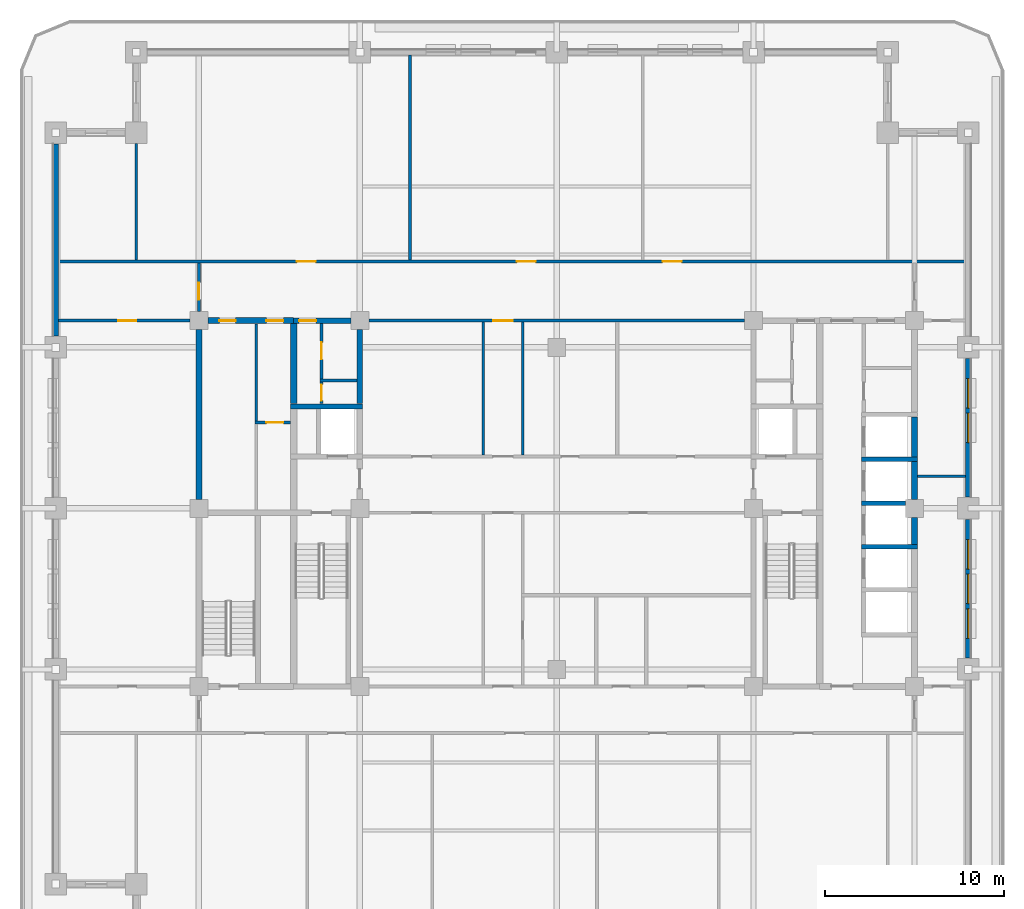
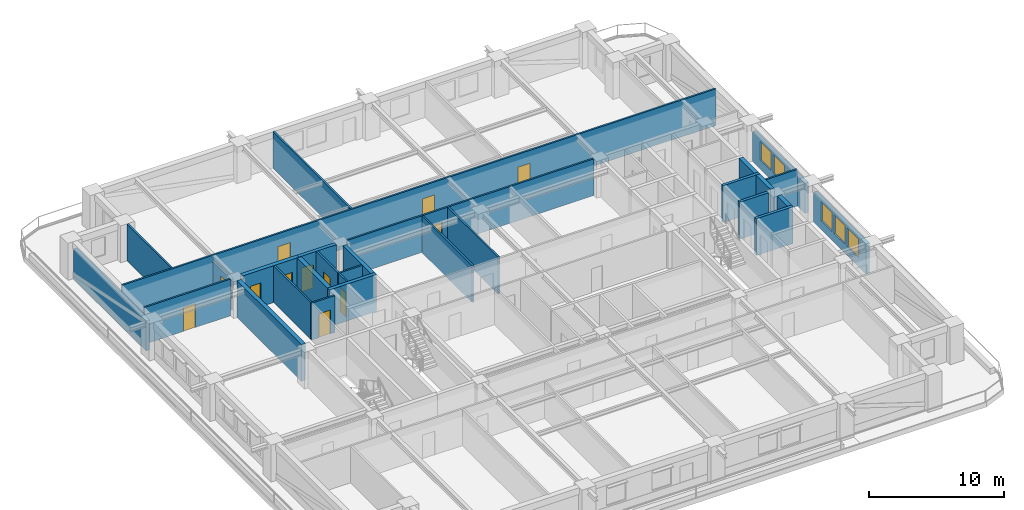
# One storey, part 5 of 15: 29 walls, 12 doors, 5 windows, 17 openings.
"""IFC4 building model written with IfcOpenShell, lengths in metres."""

from ifc_helpers import new_model, si_unit, direction, frame, frame_2d, origin, place, context, subcontext, project, spatial, rectangle, extrude, material, layer, layer_set, type_object, element, fill, save


model = new_model("IFC4")

# Units and contexts
model_context = context("Model", 3, precision=1e-05, world=origin(), true_north=direction((0.0, 1.0)))
body_context = subcontext(model_context, "Body", "Model", "MODEL_VIEW")
ifc_project = project(units=[si_unit("LENGTHUNIT", "METRE"), si_unit("AREAUNIT", "SQUARE_METRE"), si_unit("VOLUMEUNIT", "CUBIC_METRE"), si_unit("PLANEANGLEUNIT", "RADIAN"), si_unit("MASSUNIT", "GRAM", prefix="KILO")], contexts=[model_context])

# Site, building, storey
site_placement = place(None, origin())
site = spatial("IfcSite", under=ifc_project, at=site_placement, CompositionType="ELEMENT")
building_placement = place(site_placement, origin())
building = spatial("IfcBuilding", under=site, at=building_placement, Name="Zulmaris Gate Convention Tower", CompositionType="ELEMENT")
storey_placement = place(building_placement, frame((0.0, 0.0, 132.059814453125)))
storey = spatial("IfcBuildingStorey", under=building, at=storey_placement, Name="L33", CompositionType="ELEMENT", Elevation=132.059814453125)

# Walls
ifc_material_1 = material(Name="Concrete C50/60", Category="concrete")
ifc_layer_1 = layer(ifc_material_1, 0.25, Name="Concrete C50/60")
ifc_layer_set_1 = layer_set([ifc_layer_1], Name="Concrete C50/60")
wall_type_1 = type_object("IfcWallType", Name="CORE-250", PredefinedType="SOLIDWALL", material=ifc_layer_set_1)
wall_1_placement = place(storey_placement, frame((17.02490234375, -2.14990234375, 0.0), z_axis=(0.0, 0.0, 1.0), x_axis=(1.0, 0.0, 0.0)))
element("IfcWall", 1, at=wall_1_placement, inside=storey, type_object=wall_type_1, Name="WL-L33-007", PredefinedType="SOLIDWALL", context=body_context, shape_type="SweptSolid", body=[
    extrude(rectangle(XDim=3.150146484375, YDim=0.25, at=frame_2d((1.5751953125, 0.0))), origin(), (0.0, 0.0, 1.0), 3.320068359375),
])
wall_2_placement = place(storey_placement, frame((17.02490234375, 0.300048828125, 0.0), z_axis=(0.0, 0.0, 1.0), x_axis=(1.0, 0.0, 0.0)))
element("IfcWall", 2, at=wall_2_placement, inside=storey, type_object=wall_type_1, Name="WL-L33-010", PredefinedType="SOLIDWALL", context=body_context, shape_type="SweptSolid", body=[
    extrude(rectangle(XDim=2.47119140625, YDim=0.25, at=frame_2d((1.235595703125, 0.0))), origin(), (0.0, 0.0, 1.0), 3.320068359375),
])
wall_3_placement = place(storey_placement, frame((17.02490234375, 2.75, 0.0), z_axis=(0.0, 0.0, 1.0), x_axis=(1.0, 0.0, 0.0)))
element("IfcWall", 3, at=wall_3_placement, inside=storey, type_object=wall_type_1, Name="WL-L33-011", PredefinedType="SOLIDWALL", context=body_context, shape_type="SweptSolid", body=[
    extrude(rectangle(XDim=3.150146484375, YDim=0.25, at=frame_2d((1.5751953125, 0.0))), origin(), (0.0, 0.0, 1.0), 3.320068359375),
])
ifc_layer_2 = layer(ifc_material_1, 0.300048828125, Name="Concrete C50/60")
ifc_layer_set_2 = layer_set([ifc_layer_2], Name="Concrete C50/60")
wall_type_2 = type_object("IfcWallType", Name="CORE-300", PredefinedType="SHEAR", material=ifc_layer_set_2)
wall_4_placement = place(storey_placement, frame((-14.875, 5.699951171875, 0.0), z_axis=(0.0, 0.0, 1.0), x_axis=(1.0, 0.0, 0.0)))
element("IfcWall", 4, at=wall_4_placement, inside=storey, type_object=wall_type_2, Name="WL-L33-015", PredefinedType="SHEAR", context=body_context, shape_type="SweptSolid", body=[
    extrude(rectangle(XDim=4.02490234375, YDim=0.300048828125, at=frame_2d((2.012451171875, 0.0))), origin(), (0.0, 0.0, 1.0), 3.320068359375),
])

# Wall, opening, door
wall_5_placement = place(storey_placement, frame((-14.699951171875, 10.5, 0.0), z_axis=(0.0, 0.0, 1.0), x_axis=(1.0, 0.0, 0.0)))
wall_5 = element("IfcWall", 5, at=wall_5_placement, inside=storey, type_object=wall_type_2, Name="WL-L33-018", PredefinedType="SHEAR", context=body_context, shape_type="SweptSolid", body=[
    extrude(rectangle(XDim=3.196044921875, YDim=0.300048828125, at=frame_2d((1.59814453125, 0.0))), origin(), (0.0, 0.0, 1.0), 3.320068359375),
])
opening_1_placement = place(wall_5_placement, frame((0.304931640625, 0.0, 0.0)))
opening_1 = element("IfcOpeningElement", 6, at=opening_1_placement, cuts=wall_5, Name="Opening D-11", PredefinedType="OPENING", context=body_context, shape_type="SweptSolid", body=[
    extrude(rectangle(XDim=0.949951171875, YDim=2.14990234375, at=frame_2d((0.47509765625, 1.074951171875))), frame((0.0, 0.16015625, 0.0), z_axis=(0.0, -1.0, 0.0), x_axis=(1.0, 0.0, 0.0)), (0.0, 0.0, 1.0), 0.320068359375),
])
ifc_material_2 = material(Name="Fire-Rated Timber", Category="wood")
door_type_1 = type_object("IfcDoorType", Name="DR-950-FD", OperationType="NOTDEFINED", PredefinedType="DOOR", material=ifc_material_2)
door_1_placement = place(opening_1_placement, origin())
door_1 = element("IfcDoor", 7, at=door_1_placement, inside=storey, type_object=door_type_1, Name="L33 Core West Passage Door 07", OperationType="SINGLE_SWING_RIGHT", OverallHeight=2.14990234375, OverallWidth=0.949951171875, PredefinedType="DOOR", context=body_context, shape_type="SweptSolid", body=[
    extrude(rectangle(XDim=0.949951171875, YDim=2.14990234375, at=frame_2d((0.47509765625, 1.074951171875))), frame((0.0, 0.02490234375, 0.0), z_axis=(0.0, -1.0, 0.0), x_axis=(1.0, 0.0, 0.0)), (0.0, 0.0, 1.0), 0.050048828125),
])
fill(opening_1, door_1)

# Wall
wall_6_placement = place(storey_placement, frame((-11.0, 5.85205078125, 0.0), z_axis=(0.0, 0.0, 1.0), x_axis=(0.0, 1.0, 0.0)))
element("IfcWall", 8, at=wall_6_placement, inside=storey, type_object=wall_type_2, Name="WL-L33-049", PredefinedType="SHEAR", context=body_context, shape_type="SweptSolid", body=[
    extrude(rectangle(XDim=4.14404296875, YDim=0.300048828125, at=frame_2d((2.072021484375, 0.0))), origin(), (0.0, 0.0, 1.0), 3.320068359375),
])

# Wall, openings, doors
ifc_material_3 = material(Name="Concrete C55/67", Category="concrete")
ifc_layer_3 = layer(ifc_material_3, 0.35009765625, Name="Concrete C55/67")
ifc_layer_set_3 = layer_set([ifc_layer_3], Name="Concrete C55/67")
wall_type_3 = type_object("IfcWallType", Name="CORE-350", PredefinedType="SHEAR", material=ifc_layer_set_3)
wall_7_placement = place(storey_placement, frame((-19.49609375, 10.5, 0.0), z_axis=(0.0, 0.0, 1.0), x_axis=(1.0, 0.0, 0.0)))
wall_7 = element("IfcWall", 9, at=wall_7_placement, inside=storey, type_object=wall_type_3, Name="WL-L33-017", PredefinedType="SHEAR", context=body_context, shape_type="SweptSolid", body=[
    extrude(rectangle(XDim=4.796142578125, YDim=0.35009765625, at=frame_2d((2.39794921875, 0.0))), origin(), (0.0, 0.0, 1.0), 3.320068359375),
])
opening_2_placement = place(wall_7_placement, frame((0.64599609375, 0.0, 0.0)))
opening_2 = element("IfcOpeningElement", 10, at=opening_2_placement, cuts=wall_7, Name="Opening D-12", PredefinedType="OPENING", context=body_context, shape_type="SweptSolid", body=[
    extrude(rectangle(XDim=0.89990234375, YDim=2.14990234375, at=frame_2d((0.449951171875, 1.074951171875))), frame((0.0, 0.18505859375, 0.0), z_axis=(0.0, -1.0, 0.0), x_axis=(1.0, 0.0, 0.0)), (0.0, 0.0, 1.0), 0.3701171875),
])
opening_3_placement = place(wall_7_placement, frame((3.27099609375, 0.0, 0.0)))
opening_3 = element("IfcOpeningElement", 11, at=opening_3_placement, cuts=wall_7, Name="Opening D-11", PredefinedType="OPENING", context=body_context, shape_type="SweptSolid", body=[
    extrude(rectangle(XDim=0.949951171875, YDim=2.14990234375, at=frame_2d((0.47509765625, 1.074951171875))), frame((0.0, 0.18505859375, 0.0), z_axis=(0.0, -1.0, 0.0), x_axis=(1.0, 0.0, 0.0)), (0.0, 0.0, 1.0), 0.3701171875),
])
door_type_2 = type_object("IfcDoorType", Name="DR-900-FD", OperationType="NOTDEFINED", PredefinedType="DOOR", material=ifc_material_2)
door_2_placement = place(opening_2_placement, origin())
door_2 = element("IfcDoor", 12, at=door_2_placement, inside=storey, type_object=door_type_2, Name="L33 Document Vault Door 14", OperationType="SINGLE_SWING_LEFT", OverallHeight=2.14990234375, OverallWidth=0.89990234375, PredefinedType="DOOR", context=body_context, shape_type="SweptSolid", body=[
    extrude(rectangle(XDim=0.89990234375, YDim=2.14990234375, at=frame_2d((0.449951171875, 1.074951171875))), frame((0.0, 0.02490234375, 0.0), z_axis=(0.0, -1.0, 0.0), x_axis=(1.0, 0.0, 0.0)), (0.0, 0.0, 1.0), 0.050048828125),
])
fill(opening_2, door_2)
door_3_placement = place(opening_3_placement, origin())
door_3 = element("IfcDoor", 13, at=door_3_placement, inside=storey, type_object=door_type_1, Name="L33 Beverage Pantry Door 15", OperationType="SINGLE_SWING_RIGHT", OverallHeight=2.14990234375, OverallWidth=0.949951171875, PredefinedType="DOOR", context=body_context, shape_type="SweptSolid", body=[
    extrude(rectangle(XDim=0.949951171875, YDim=2.14990234375, at=frame_2d((0.47509765625, 1.074951171875))), frame((0.0, 0.02490234375, 0.0), z_axis=(0.0, -1.0, 0.0), x_axis=(1.0, 0.0, 0.0)), (0.0, 0.0, 1.0), 0.050048828125),
])
fill(opening_3, door_3)

# Walls
wall_8_placement = place(storey_placement, frame((-20.0, 0.50390625, 0.0), z_axis=(0.0, 0.0, 1.0), x_axis=(0.0, 1.0, 0.0)))
element("IfcWall", 14, at=wall_8_placement, inside=storey, type_object=wall_type_3, Name="WL-L33-038", PredefinedType="SHEAR", context=body_context, shape_type="SweptSolid", body=[
    extrude(rectangle(XDim=9.4921875, YDim=0.35009765625, at=frame_2d((4.74609375, 0.0))), origin(), (0.0, 0.0, 1.0), 3.320068359375),
])
wall_9_placement = place(storey_placement, frame((-14.699951171875, 5.85205078125, 0.0), z_axis=(0.0, 0.0, 1.0), x_axis=(0.0, 1.0, 0.0)))
element("IfcWall", 15, at=wall_9_placement, inside=storey, type_object=wall_type_3, Name="WL-L33-043", PredefinedType="SHEAR", context=body_context, shape_type="SweptSolid", body=[
    extrude(rectangle(XDim=4.470947265625, YDim=0.35009765625, at=frame_2d((2.2353515625, 0.0))), origin(), (0.0, 0.0, 1.0), 3.320068359375),
])
wall_10_placement = place(storey_placement, frame((20.0, -2.02294921875, 0.0), z_axis=(0.0, 0.0, 1.0), x_axis=(0.0, 1.0, 0.0)))
element("IfcWall", 16, at=wall_10_placement, inside=storey, type_object=wall_type_3, Name="WL-L33-068", PredefinedType="SHEAR", context=body_context, shape_type="SweptSolid", body=[
    extrude(rectangle(XDim=1.51904296875, YDim=0.35009765625, at=frame_2d((0.759521484375, 0.0))), origin(), (0.0, 0.0, 1.0), 3.320068359375),
])
wall_11_placement = place(storey_placement, frame((20.0, 0.50390625, 0.0), z_axis=(0.0, 0.0, 1.0), x_axis=(0.0, 1.0, 0.0)))
element("IfcWall", 17, at=wall_11_placement, inside=storey, type_object=wall_type_3, Name="WL-L33-069", PredefinedType="SHEAR", context=body_context, shape_type="SweptSolid", body=[
    extrude(rectangle(XDim=2.119140625, YDim=0.35009765625, at=frame_2d((1.0595703125, 0.0))), origin(), (0.0, 0.0, 1.0), 3.320068359375),
])
wall_12_placement = place(storey_placement, frame((20.0, 2.876953125, 0.0), z_axis=(0.0, 0.0, 1.0), x_axis=(0.0, 1.0, 0.0)))
element("IfcWall", 18, at=wall_12_placement, inside=storey, type_object=wall_type_3, Name="WL-L33-070", PredefinedType="SHEAR", context=body_context, shape_type="SweptSolid", body=[
    extrude(rectangle(XDim=2.24609375, YDim=0.35009765625, at=frame_2d((1.123046875, 0.0))), origin(), (0.0, 0.0, 1.0), 3.320068359375),
])
ifc_material_4 = material(Name="Gypsum Metal Stud Partition")
ifc_layer_4 = layer(ifc_material_4, 0.14990234375, Name="Gypsum Metal Stud Partition")
ifc_layer_set_4 = layer_set([ifc_layer_4], Name="Gypsum Metal Stud Partition")
wall_type_4 = type_object("IfcWallType", Name="PART-150", PredefinedType="PARTITIONING", material=ifc_layer_set_4)
wall_13_placement = place(storey_placement, frame((20.177978515625, 1.800048828125, 0.0), z_axis=(0.0, 0.0, 1.0), x_axis=(1.0, 0.0, 0.0)))
element("IfcWall", 19, at=wall_13_placement, inside=storey, type_object=wall_type_4, Name="WL-L33-027", PredefinedType="PARTITIONING", context=body_context, shape_type="SweptSolid", body=[
    extrude(rectangle(XDim=2.656982421875, YDim=0.14990234375, at=frame_2d((1.32861328125, 0.0))), origin(), (0.0, 0.0, 1.0), 3.320068359375),
])

# Wall, opening, door
wall_14_placement = place(storey_placement, frame((-16.875, 4.800048828125, 0.0), z_axis=(0.0, 0.0, 1.0), x_axis=(1.0, 0.0, 0.0)))
wall_14 = element("IfcWall", 20, at=wall_14_placement, inside=storey, type_object=wall_type_4, Name="WL-L33-029", PredefinedType="PARTITIONING", context=body_context, shape_type="SweptSolid", body=[
    extrude(rectangle(XDim=1.9970703125, YDim=0.14990234375, at=frame_2d((0.99853515625, 0.0))), origin(), (0.0, 0.0, 1.0), 3.320068359375),
])
opening_4_placement = place(wall_14_placement, frame((0.64990234375, 0.0, 0.0)))
opening_4 = element("IfcOpeningElement", 21, at=opening_4_placement, cuts=wall_14, Name="Opening D-11", PredefinedType="OPENING", context=body_context, shape_type="SweptSolid", body=[
    extrude(rectangle(XDim=0.949951171875, YDim=2.14990234375, at=frame_2d((0.47509765625, 1.074951171875))), frame((0.0, 0.0849609375, 0.0), z_axis=(0.0, -1.0, 0.0), x_axis=(1.0, 0.0, 0.0)), (0.0, 0.0, 1.0), 0.169921875),
])
door_4_placement = place(opening_4_placement, origin())
door_4 = element("IfcDoor", 22, at=door_4_placement, inside=storey, type_object=door_type_1, Name="L33 Cleaners Closet Door 16", OperationType="SINGLE_SWING_LEFT", OverallHeight=2.14990234375, OverallWidth=0.949951171875, PredefinedType="DOOR", context=body_context, shape_type="SweptSolid", body=[
    extrude(rectangle(XDim=0.949951171875, YDim=2.14990234375, at=frame_2d((0.47509765625, 1.074951171875))), frame((0.0, 0.02490234375, 0.0), z_axis=(0.0, -1.0, 0.0), x_axis=(1.0, 0.0, 0.0)), (0.0, 0.0, 1.0), 0.050048828125),
])
fill(opening_4, door_4)

# Wall
wall_15_placement = place(storey_placement, frame((-13.22509765625, 7.14990234375, 0.0), z_axis=(0.0, 0.0, 1.0), x_axis=(1.0, 0.0, 0.0)))
element("IfcWall", 23, at=wall_15_placement, inside=storey, type_object=wall_type_4, Name="WL-L33-030", PredefinedType="PARTITIONING", context=body_context, shape_type="SweptSolid", body=[
    extrude(rectangle(XDim=2.072021484375, YDim=0.14990234375, at=frame_2d((1.0361328125, 0.0))), origin(), (0.0, 0.0, 1.0), 3.320068359375),
])

# Wall, opening, door
wall_16_placement = place(storey_placement, frame((-27.8349609375, 10.5, 0.0), z_axis=(0.0, 0.0, 1.0), x_axis=(1.0, 0.0, 0.0)))
wall_16 = element("IfcWall", 24, at=wall_16_placement, inside=storey, type_object=wall_type_4, Name="WL-L33-033", PredefinedType="PARTITIONING", context=body_context, shape_type="SweptSolid", body=[
    extrude(rectangle(XDim=7.328857421875, YDim=0.14990234375, at=frame_2d((3.66455078125, 0.0))), origin(), (0.0, 0.0, 1.0), 3.320068359375),
])
opening_5_placement = place(wall_16_placement, frame((3.3349609375, 0.0, 0.0)))
opening_5 = element("IfcOpeningElement", 25, at=opening_5_placement, cuts=wall_16, Name="Opening D-10", PredefinedType="OPENING", context=body_context, shape_type="SweptSolid", body=[
    extrude(rectangle(XDim=1.0, YDim=2.14990234375, at=frame_2d((0.5, 1.074951171875))), frame((0.0, 0.0849609375, 0.0), z_axis=(0.0, -1.0, 0.0), x_axis=(1.0, 0.0, 0.0)), (0.0, 0.0, 1.0), 0.169921875),
])
door_type_3 = type_object("IfcDoorType", Name="DR-1000-FD", OperationType="NOTDEFINED", PredefinedType="DOOR", material=ifc_material_2)
door_5_placement = place(opening_5_placement, origin())
door_5 = element("IfcDoor", 26, at=door_5_placement, inside=storey, type_object=door_type_3, Name="L33 West Workplace North Door 47", OperationType="SINGLE_SWING_RIGHT", OverallHeight=2.14990234375, OverallWidth=1.0, PredefinedType="DOOR", context=body_context, shape_type="SweptSolid", body=[
    extrude(rectangle(XDim=1.0, YDim=2.14990234375, at=frame_2d((0.5, 1.074951171875))), frame((0.0, 0.02490234375, 0.0), z_axis=(0.0, -1.0, 0.0), x_axis=(1.0, 0.0, 0.0)), (0.0, 0.0, 1.0), 0.050048828125),
])
fill(opening_5, door_5)

wall_17_placement = place(storey_placement, frame((-10.493896484375, 10.5, 0.0), z_axis=(0.0, 0.0, 1.0), x_axis=(1.0, 0.0, 0.0)))
wall_17 = element("IfcWall", 27, at=wall_17_placement, inside=storey, type_object=wall_type_4, Name="WL-L33-034", PredefinedType="PARTITIONING", context=body_context, shape_type="SweptSolid", body=[
    extrude(rectangle(XDim=20.98779296875, YDim=0.14990234375, at=frame_2d((10.493896484375, 0.0))), origin(), (0.0, 0.0, 1.0), 3.320068359375),
])
opening_6_placement = place(wall_17_placement, frame((6.944091796875, 0.0, 0.0)))
opening_6 = element("IfcOpeningElement", 28, at=opening_6_placement, cuts=wall_17, Name="Opening D-08", PredefinedType="OPENING", context=body_context, shape_type="SweptSolid", body=[
    extrude(rectangle(XDim=1.10009765625, YDim=2.14990234375, at=frame_2d((0.550048828125, 1.074951171875))), frame((0.0, 0.0849609375, 0.0), z_axis=(0.0, -1.0, 0.0), x_axis=(1.0, 0.0, 0.0)), (0.0, 0.0, 1.0), 0.169921875),
])
ifc_material_5 = material(Name="Fire-Rated Steel", Category="steel")
door_type_4 = type_object("IfcDoorType", Name="DR-1100-FD", OperationType="NOTDEFINED", PredefinedType="DOOR", material=ifc_material_5)
door_6_placement = place(opening_6_placement, origin())
door_6 = element("IfcDoor", 29, at=door_6_placement, inside=storey, type_object=door_type_4, Name="L33 North Gallery Link Door 25", OperationType="SINGLE_SWING_RIGHT", OverallHeight=2.14990234375, OverallWidth=1.10009765625, PredefinedType="DOOR", context=body_context, shape_type="SweptSolid", body=[
    extrude(rectangle(XDim=1.10009765625, YDim=2.14990234375, at=frame_2d((0.550048828125, 1.074951171875))), frame((0.0, 0.02490234375, 0.0), z_axis=(0.0, -1.0, 0.0), x_axis=(1.0, 0.0, 0.0)), (0.0, 0.0, 1.0), 0.050048828125),
])
fill(opening_6, door_6)

# Wall, openings, doors
wall_18_placement = place(storey_placement, frame((-27.8349609375, 13.800048828125, 0.0), z_axis=(0.0, 0.0, 1.0), x_axis=(1.0, 0.0, 0.0)))
wall_18 = element("IfcWall", 30, at=wall_18_placement, inside=storey, type_object=wall_type_4, Name="WL-L33-036", PredefinedType="PARTITIONING", context=body_context, shape_type="SweptSolid", body=[
    extrude(rectangle(XDim=50.669921875, YDim=0.14990234375, at=frame_2d((25.3349609375, 0.0))), origin(), (0.0, 0.0, 1.0), 3.320068359375),
])
opening_7_placement = place(wall_18_placement, frame((13.31005859375, 0.0, 0.0)))
opening_7 = element("IfcOpeningElement", 31, at=opening_7_placement, cuts=wall_18, Name="Opening D-09", PredefinedType="OPENING", context=body_context, shape_type="SweptSolid", body=[
    extrude(rectangle(XDim=1.050048828125, YDim=2.14990234375, at=frame_2d((0.52490234375, 1.074951171875))), frame((0.0, 0.0849609375, 0.0), z_axis=(0.0, -1.0, 0.0), x_axis=(1.0, 0.0, 0.0)), (0.0, 0.0, 1.0), 0.169921875),
])
opening_8_placement = place(wall_18_placement, frame((25.610107421875, 0.0, 0.0)))
opening_8 = element("IfcOpeningElement", 32, at=opening_8_placement, cuts=wall_18, Name="Opening D-09", PredefinedType="OPENING", context=body_context, shape_type="SweptSolid", body=[
    extrude(rectangle(XDim=1.050048828125, YDim=2.14990234375, at=frame_2d((0.52490234375, 1.074951171875))), frame((0.0, 0.0849609375, 0.0), z_axis=(0.0, -1.0, 0.0), x_axis=(1.0, 0.0, 0.0)), (0.0, 0.0, 1.0), 0.169921875),
])
opening_9_placement = place(wall_18_placement, frame((33.760009765625, 0.0, 0.0)))
opening_9 = element("IfcOpeningElement", 33, at=opening_9_placement, cuts=wall_18, Name="Opening D-09", PredefinedType="OPENING", context=body_context, shape_type="SweptSolid", body=[
    extrude(rectangle(XDim=1.050048828125, YDim=2.14990234375, at=frame_2d((0.52490234375, 1.074951171875))), frame((0.0, 0.0849609375, 0.0), z_axis=(0.0, -1.0, 0.0), x_axis=(1.0, 0.0, 0.0)), (0.0, 0.0, 1.0), 0.169921875),
])
door_type_5 = type_object("IfcDoorType", Name="DR-1050-FD", OperationType="NOTDEFINED", PredefinedType="DOOR", material=ifc_material_5)
door_7_placement = place(opening_7_placement, origin())
door_7 = element("IfcDoor", 34, at=door_7_placement, inside=storey, type_object=door_type_5, Name="L33 Executive Boardroom Door 29", OperationType="SINGLE_SWING_RIGHT", OverallHeight=2.14990234375, OverallWidth=1.050048828125, PredefinedType="DOOR", context=body_context, shape_type="SweptSolid", body=[
    extrude(rectangle(XDim=1.050048828125, YDim=2.14990234375, at=frame_2d((0.52490234375, 1.074951171875))), frame((0.0, 0.02490234375, 0.0), z_axis=(0.0, -1.0, 0.0), x_axis=(1.0, 0.0, 0.0)), (0.0, 0.0, 1.0), 0.050048828125),
])
fill(opening_7, door_7)
door_8_placement = place(opening_8_placement, origin())
door_8 = element("IfcDoor", 35, at=door_8_placement, inside=storey, type_object=door_type_5, Name="L33 Corporate Strategy Office Door 30", OperationType="SINGLE_SWING_LEFT", OverallHeight=2.14990234375, OverallWidth=1.050048828125, PredefinedType="DOOR", context=body_context, shape_type="SweptSolid", body=[
    extrude(rectangle(XDim=1.050048828125, YDim=2.14990234375, at=frame_2d((0.52490234375, 1.074951171875))), frame((0.0, 0.02490234375, 0.0), z_axis=(0.0, -1.0, 0.0), x_axis=(1.0, 0.0, 0.0)), (0.0, 0.0, 1.0), 0.050048828125),
])
fill(opening_8, door_8)
door_9_placement = place(opening_9_placement, origin())
door_9 = element("IfcDoor", 36, at=door_9_placement, inside=storey, type_object=door_type_5, Name="L33 Project Advisory Studio Door 31", OperationType="SINGLE_SWING_RIGHT", OverallHeight=2.14990234375, OverallWidth=1.050048828125, PredefinedType="DOOR", context=body_context, shape_type="SweptSolid", body=[
    extrude(rectangle(XDim=1.050048828125, YDim=2.14990234375, at=frame_2d((0.52490234375, 1.074951171875))), frame((0.0, 0.02490234375, 0.0), z_axis=(0.0, -1.0, 0.0), x_axis=(1.0, 0.0, 0.0)), (0.0, 0.0, 1.0), 0.050048828125),
])
fill(opening_9, door_9)

# Wall
wall_19_placement = place(storey_placement, frame((-23.5, 13.8779296875, 0.0), z_axis=(0.0, 0.0, 1.0), x_axis=(0.0, 1.0, 0.0)))
element("IfcWall", 37, at=wall_19_placement, inside=storey, type_object=wall_type_4, Name="WL-L33-073", PredefinedType="PARTITIONING", context=body_context, shape_type="SweptSolid", body=[
    extrude(rectangle(XDim=6.51611328125, YDim=0.14990234375, at=frame_2d((3.258056640625, 0.0))), origin(), (0.0, 0.0, 1.0), 3.320068359375),
])

# Wall, opening, door
wall_20_placement = place(storey_placement, frame((-20.0, 11.006103515625, 0.0), z_axis=(0.0, 0.0, 1.0), x_axis=(0.0, 1.0, 0.0)))
wall_20 = element("IfcWall", 38, at=wall_20_placement, inside=storey, type_object=wall_type_4, Name="WL-L33-075", PredefinedType="PARTITIONING", context=body_context, shape_type="SweptSolid", body=[
    extrude(rectangle(XDim=2.7158203125, YDim=0.14990234375, at=frame_2d((1.35791015625, 0.0))), origin(), (0.0, 0.0, 1.0), 2.81005859375),
])
opening_10_placement = place(wall_20_placement, frame((0.6689453125, 0.0, 0.0)))
opening_10 = element("IfcOpeningElement", 39, at=opening_10_placement, cuts=wall_20, Name="Opening D-11", PredefinedType="OPENING", context=body_context, shape_type="SweptSolid", body=[
    extrude(rectangle(XDim=0.949951171875, YDim=2.14990234375, at=frame_2d((0.47509765625, 1.074951171875))), frame((0.0, 0.0849609375, 0.0), z_axis=(0.0, -1.0, 0.0), x_axis=(1.0, 0.0, 0.0)), (0.0, 0.0, 1.0), 0.169921875),
])
door_10_placement = place(opening_10_placement, origin())
door_10 = element("IfcDoor", 40, at=door_10_placement, inside=storey, type_object=door_type_1, Name="L33 NW Spur Door 45", OperationType="SINGLE_SWING_RIGHT", OverallHeight=2.14990234375, OverallWidth=0.949951171875, PredefinedType="DOOR", context=body_context, shape_type="SweptSolid", body=[
    extrude(rectangle(XDim=0.949951171875, YDim=2.14990234375, at=frame_2d((0.47509765625, 1.074951171875))), frame((0.0, 0.02490234375, 0.0), z_axis=(0.0, -1.0, 0.0), x_axis=(1.0, 0.0, 0.0)), (0.0, 0.0, 1.0), 0.050048828125),
])
fill(opening_10, door_10)

# Wall
wall_21_placement = place(storey_placement, frame((-16.800048828125, 4.8779296875, 0.0), z_axis=(0.0, 0.0, 1.0), x_axis=(0.0, 1.0, 0.0)))
element("IfcWall", 41, at=wall_21_placement, inside=storey, type_object=wall_type_4, Name="WL-L33-077", PredefinedType="PARTITIONING", context=body_context, shape_type="SweptSolid", body=[
    extrude(rectangle(XDim=5.444091796875, YDim=0.14990234375, at=frame_2d((2.72216796875, 0.0))), origin(), (0.0, 0.0, 1.0), 3.320068359375),
])

# Wall, opening, door
wall_22_placement = place(storey_placement, frame((-13.14990234375, 5.85302734375, 0.0), z_axis=(0.0, 0.0, 1.0), x_axis=(0.0, 1.0, 0.0)))
wall_22 = element("IfcWall", 42, at=wall_22_placement, inside=storey, type_object=wall_type_4, Name="WL-L33-079", PredefinedType="PARTITIONING", context=body_context, shape_type="SweptSolid", body=[
    extrude(rectangle(XDim=1.218994140625, YDim=0.14990234375, at=frame_2d((0.609375, 0.0))), origin(), (0.0, 0.0, 1.0), 3.320068359375),
])
opening_11_placement = place(wall_22_placement, frame((0.1689453125, 0.0, 0.0)))
opening_11 = element("IfcOpeningElement", 43, at=opening_11_placement, cuts=wall_22, Name="Opening D-12", PredefinedType="OPENING", context=body_context, shape_type="SweptSolid", body=[
    extrude(rectangle(XDim=0.89990234375, YDim=2.14990234375, at=frame_2d((0.449951171875, 1.074951171875))), frame((0.0, 0.0849609375, 0.0), z_axis=(0.0, -1.0, 0.0), x_axis=(1.0, 0.0, 0.0)), (0.0, 0.0, 1.0), 0.169921875),
])
door_11_placement = place(opening_11_placement, origin())
door_11 = element("IfcDoor", 44, at=door_11_placement, inside=storey, type_object=door_type_2, Name="L33 Stationery Closet Door 08", OperationType="SINGLE_SWING_LEFT", OverallHeight=2.14990234375, OverallWidth=0.89990234375, PredefinedType="DOOR", context=body_context, shape_type="SweptSolid", body=[
    extrude(rectangle(XDim=0.89990234375, YDim=2.14990234375, at=frame_2d((0.449951171875, 1.074951171875))), frame((0.0, 0.02490234375, 0.0), z_axis=(0.0, -1.0, 0.0), x_axis=(1.0, 0.0, 0.0)), (0.0, 0.0, 1.0), 0.050048828125),
])
fill(opening_11, door_11)

wall_23_placement = place(storey_placement, frame((-13.14990234375, 7.22802734375, 0.0), z_axis=(0.0, 0.0, 1.0), x_axis=(0.0, 1.0, 0.0)))
wall_23 = element("IfcWall", 45, at=wall_23_placement, inside=storey, type_object=wall_type_4, Name="WL-L33-080", PredefinedType="PARTITIONING", context=body_context, shape_type="SweptSolid", body=[
    extrude(rectangle(XDim=3.118896484375, YDim=0.14990234375, at=frame_2d((1.5595703125, 0.0))), origin(), (0.0, 0.0, 1.0), 3.320068359375),
])
opening_12_placement = place(wall_23_placement, frame((1.096923828125, 0.0, 0.0)))
opening_12 = element("IfcOpeningElement", 46, at=opening_12_placement, cuts=wall_23, Name="Opening D-11", PredefinedType="OPENING", context=body_context, shape_type="SweptSolid", body=[
    extrude(rectangle(XDim=0.949951171875, YDim=2.14990234375, at=frame_2d((0.47509765625, 1.074951171875))), frame((0.0, 0.0849609375, 0.0), z_axis=(0.0, -1.0, 0.0), x_axis=(1.0, 0.0, 0.0)), (0.0, 0.0, 1.0), 0.169921875),
])
door_12_placement = place(opening_12_placement, origin())
door_12 = element("IfcDoor", 47, at=door_12_placement, inside=storey, type_object=door_type_1, Name="L33 Meter Closet Door 09", OperationType="SINGLE_SWING_RIGHT", OverallHeight=2.14990234375, OverallWidth=0.949951171875, PredefinedType="DOOR", context=body_context, shape_type="SweptSolid", body=[
    extrude(rectangle(XDim=0.949951171875, YDim=2.14990234375, at=frame_2d((0.47509765625, 1.074951171875))), frame((0.0, 0.02490234375, 0.0), z_axis=(0.0, -1.0, 0.0), x_axis=(1.0, 0.0, 0.0)), (0.0, 0.0, 1.0), 0.050048828125),
])
fill(opening_12, door_12)

# Walls
wall_24_placement = place(storey_placement, frame((-8.199951171875, 13.8779296875, 0.0), z_axis=(0.0, 0.0, 1.0), x_axis=(0.0, 1.0, 0.0)))
element("IfcWall", 48, at=wall_24_placement, inside=storey, type_object=wall_type_4, Name="WL-L33-081", PredefinedType="PARTITIONING", context=body_context, shape_type="SweptSolid", body=[
    extrude(rectangle(XDim=11.45703125, YDim=0.14990234375, at=frame_2d((5.728515625, 0.0))), origin(), (0.0, 0.0, 1.0), 3.320068359375),
])
for number, where, z_axis, x_axis, name in (
    (49, (-4.10009765625, 2.97802734375, 0.0), (0.0, 0.0, 1.0), (0.0, 1.0, 0.0), "WL-L33-084"),
    (50, (-1.89990234375, 2.97802734375, 0.0), (0.0, 0.0, 1.0), (0.0, 1.0, 0.0), "WL-L33-087"),
):
    element("IfcWall", number, at=place(storey_placement, frame(where, z_axis=z_axis, x_axis=x_axis)), inside=storey, type_object=wall_type_4, Name=name, PredefinedType="PARTITIONING", context=body_context, shape_type="SweptSolid", body=[
        extrude(rectangle(XDim=7.444091796875, YDim=0.14990234375, at=frame_2d((3.72216796875, 0.0))), origin(), (0.0, 0.0, 1.0), 3.320068359375),
    ])

# Wall, openings, windows
ifc_material_6 = material(Name="Precast concrete C40/50", Category="concrete")
ifc_layer_5 = layer(ifc_material_6, 0.300048828125, Name="Precast concrete C40/50")
ifc_layer_set_5 = layer_set([ifc_layer_5], Name="Precast concrete C40/50")
wall_type_5 = type_object("IfcWallType", Name="PRECAST-PIER-300", PredefinedType="STANDARD", material=ifc_layer_set_5)
wall_25_placement = place(storey_placement, frame((23.0, -8.3701171875, 0.0), z_axis=(0.0, 0.0, 1.0), x_axis=(0.0, 1.0, 0.0)))
wall_25 = element("IfcWall", 51, at=wall_25_placement, inside=storey, type_object=wall_type_5, Name="EW-L33-E-1_0", PredefinedType="STANDARD", context=body_context, shape_type="SweptSolid", body=[
    extrude(rectangle(XDim=7.740234375, YDim=0.300048828125, at=frame_2d((3.8701171875, 0.0))), origin(), (0.0, 0.0, 1.0), 2.712158203125),
])
opening_13_placement = place(wall_25_placement, frame((1.110107421875, 0.0, 0.800048828125)))
opening_13 = element("IfcOpeningElement", 52, at=opening_13_placement, cuts=wall_25, Name="Opening W-08", PredefinedType="OPENING", context=body_context, shape_type="SweptSolid", body=[
    extrude(rectangle(XDim=1.64990234375, YDim=1.699951171875, at=frame_2d((0.824951171875, 0.85009765625))), frame((0.0, 0.16015625, 0.0), z_axis=(0.0, -1.0, 0.0), x_axis=(1.0, 0.0, 0.0)), (0.0, 0.0, 1.0), 0.320068359375),
])
opening_14_placement = place(wall_25_placement, frame((3.044921875, 0.0, 0.800048828125)))
opening_14 = element("IfcOpeningElement", 53, at=opening_14_placement, cuts=wall_25, Name="Opening W-08", PredefinedType="OPENING", context=body_context, shape_type="SweptSolid", body=[
    extrude(rectangle(XDim=1.64990234375, YDim=1.699951171875, at=frame_2d((0.824951171875, 0.85009765625))), frame((0.0, 0.16015625, 0.0), z_axis=(0.0, -1.0, 0.0), x_axis=(1.0, 0.0, 0.0)), (0.0, 0.0, 1.0), 0.320068359375),
])
opening_15_placement = place(wall_25_placement, frame((4.97998046875, 0.0, 0.800048828125)))
opening_15 = element("IfcOpeningElement", 54, at=opening_15_placement, cuts=wall_25, Name="Opening W-08", PredefinedType="OPENING", context=body_context, shape_type="SweptSolid", body=[
    extrude(rectangle(XDim=1.64990234375, YDim=1.699951171875, at=frame_2d((0.824951171875, 0.85009765625))), frame((0.0, 0.16015625, 0.0), z_axis=(0.0, -1.0, 0.0), x_axis=(1.0, 0.0, 0.0)), (0.0, 0.0, 1.0), 0.320068359375),
])
ifc_material_7 = material(Name="Low-E Laminated Double Glazing in Aluminium Frame", Category="aluminium")
window_type = type_object("IfcWindowType", Name="WIN-1650x2150", PartitioningType="SINGLE_PANEL", PredefinedType="WINDOW", material=ifc_material_7)
window_1_placement = place(opening_13_placement, origin())
window_1 = element("IfcWindow", 55, at=window_1_placement, inside=storey, type_object=window_type, Name="WN-EW-L33-E-1_0-1", OverallHeight=1.699951171875, OverallWidth=1.64990234375, PartitioningType="SINGLE_PANEL", PredefinedType="WINDOW", context=body_context, shape_type="SweptSolid", body=[
    extrude(rectangle(XDim=1.64990234375, YDim=1.699951171875, at=frame_2d((0.824951171875, 0.85009765625))), frame((0.0, 0.030029296875, 0.0), z_axis=(0.0, -1.0, 0.0), x_axis=(1.0, 0.0, 0.0)), (0.0, 0.0, 1.0), 0.06005859375),
])
fill(opening_13, window_1)
window_2_placement = place(opening_14_placement, origin())
window_2 = element("IfcWindow", 56, at=window_2_placement, inside=storey, type_object=window_type, Name="WN-EW-L33-E-1_0-2", OverallHeight=1.699951171875, OverallWidth=1.64990234375, PartitioningType="SINGLE_PANEL", PredefinedType="WINDOW", context=body_context, shape_type="SweptSolid", body=[
    extrude(rectangle(XDim=1.64990234375, YDim=1.699951171875, at=frame_2d((0.824951171875, 0.85009765625))), frame((0.0, 0.030029296875, 0.0), z_axis=(0.0, -1.0, 0.0), x_axis=(1.0, 0.0, 0.0)), (0.0, 0.0, 1.0), 0.06005859375),
])
fill(opening_14, window_2)
window_3_placement = place(opening_15_placement, origin())
window_3 = element("IfcWindow", 57, at=window_3_placement, inside=storey, type_object=window_type, Name="WN-EW-L33-E-1_0-3", OverallHeight=1.699951171875, OverallWidth=1.64990234375, PartitioningType="SINGLE_PANEL", PredefinedType="WINDOW", context=body_context, shape_type="SweptSolid", body=[
    extrude(rectangle(XDim=1.64990234375, YDim=1.699951171875, at=frame_2d((0.824951171875, 0.85009765625))), frame((0.0, 0.030029296875, 0.0), z_axis=(0.0, -1.0, 0.0), x_axis=(1.0, 0.0, 0.0)), (0.0, 0.0, 1.0), 0.06005859375),
])
fill(opening_15, window_3)

wall_26_placement = place(storey_placement, frame((23.0, 0.6298828125, 0.0), z_axis=(0.0, 0.0, 1.0), x_axis=(0.0, 1.0, 0.0)))
wall_26 = element("IfcWall", 58, at=wall_26_placement, inside=storey, type_object=wall_type_5, Name="EW-L33-E-2_0", PredefinedType="STANDARD", context=body_context, shape_type="SweptSolid", body=[
    extrude(rectangle(XDim=7.740234375, YDim=0.300048828125, at=frame_2d((3.8701171875, 0.0))), origin(), (0.0, 0.0, 1.0), 2.712158203125),
])
opening_16_placement = place(wall_26_placement, frame((3.044921875, 0.0, 0.800048828125)))
opening_16 = element("IfcOpeningElement", 59, at=opening_16_placement, cuts=wall_26, Name="Opening W-08", PredefinedType="OPENING", context=body_context, shape_type="SweptSolid", body=[
    extrude(rectangle(XDim=1.64990234375, YDim=1.699951171875, at=frame_2d((0.824951171875, 0.85009765625))), frame((0.0, 0.16015625, 0.0), z_axis=(0.0, -1.0, 0.0), x_axis=(1.0, 0.0, 0.0)), (0.0, 0.0, 1.0), 0.320068359375),
])
opening_17_placement = place(wall_26_placement, frame((4.97998046875, 0.0, 0.800048828125)))
opening_17 = element("IfcOpeningElement", 60, at=opening_17_placement, cuts=wall_26, Name="Opening W-08", PredefinedType="OPENING", context=body_context, shape_type="SweptSolid", body=[
    extrude(rectangle(XDim=1.64990234375, YDim=1.699951171875, at=frame_2d((0.824951171875, 0.85009765625))), frame((0.0, 0.16015625, 0.0), z_axis=(0.0, -1.0, 0.0), x_axis=(1.0, 0.0, 0.0)), (0.0, 0.0, 1.0), 0.320068359375),
])
window_4_placement = place(opening_16_placement, origin())
window_4 = element("IfcWindow", 61, at=window_4_placement, inside=storey, type_object=window_type, Name="WN-EW-L33-E-2_0-2", OverallHeight=1.699951171875, OverallWidth=1.64990234375, PartitioningType="SINGLE_PANEL", PredefinedType="WINDOW", context=body_context, shape_type="SweptSolid", body=[
    extrude(rectangle(XDim=1.64990234375, YDim=1.699951171875, at=frame_2d((0.824951171875, 0.85009765625))), frame((0.0, 0.030029296875, 0.0), z_axis=(0.0, -1.0, 0.0), x_axis=(1.0, 0.0, 0.0)), (0.0, 0.0, 1.0), 0.06005859375),
])
fill(opening_16, window_4)
window_5_placement = place(opening_17_placement, origin())
window_5 = element("IfcWindow", 62, at=window_5_placement, inside=storey, type_object=window_type, Name="WN-EW-L33-E-2_0-3", OverallHeight=1.699951171875, OverallWidth=1.64990234375, PartitioningType="SINGLE_PANEL", PredefinedType="WINDOW", context=body_context, shape_type="SweptSolid", body=[
    extrude(rectangle(XDim=1.64990234375, YDim=1.699951171875, at=frame_2d((0.824951171875, 0.85009765625))), frame((0.0, 0.030029296875, 0.0), z_axis=(0.0, -1.0, 0.0), x_axis=(1.0, 0.0, 0.0)), (0.0, 0.0, 1.0), 0.06005859375),
])
fill(opening_17, window_5)

# Wall
wall_27_placement = place(storey_placement, frame((-28.0, 20.3701171875, 0.0), z_axis=(0.0, 0.0, 1.0), x_axis=(0.0, -1.0, 0.0)))
element("IfcWall", 63, at=wall_27_placement, inside=storey, type_object=wall_type_5, Name="EW-L33-W-3_0", PredefinedType="STANDARD", context=body_context, shape_type="SweptSolid", body=[
    extrude(rectangle(XDim=10.740234375, YDim=0.300048828125, at=frame_2d((5.3701171875, 0.0))), origin(), (0.0, 0.0, 1.0), 2.712158203125),
])

save(model, "model.ifc")
